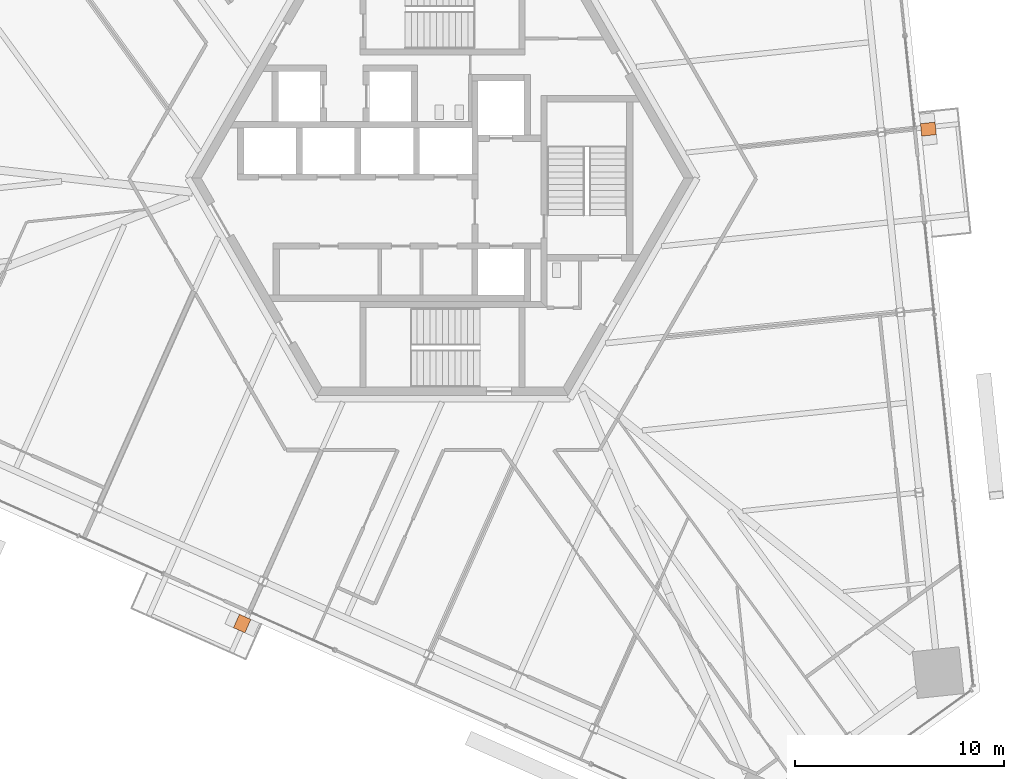
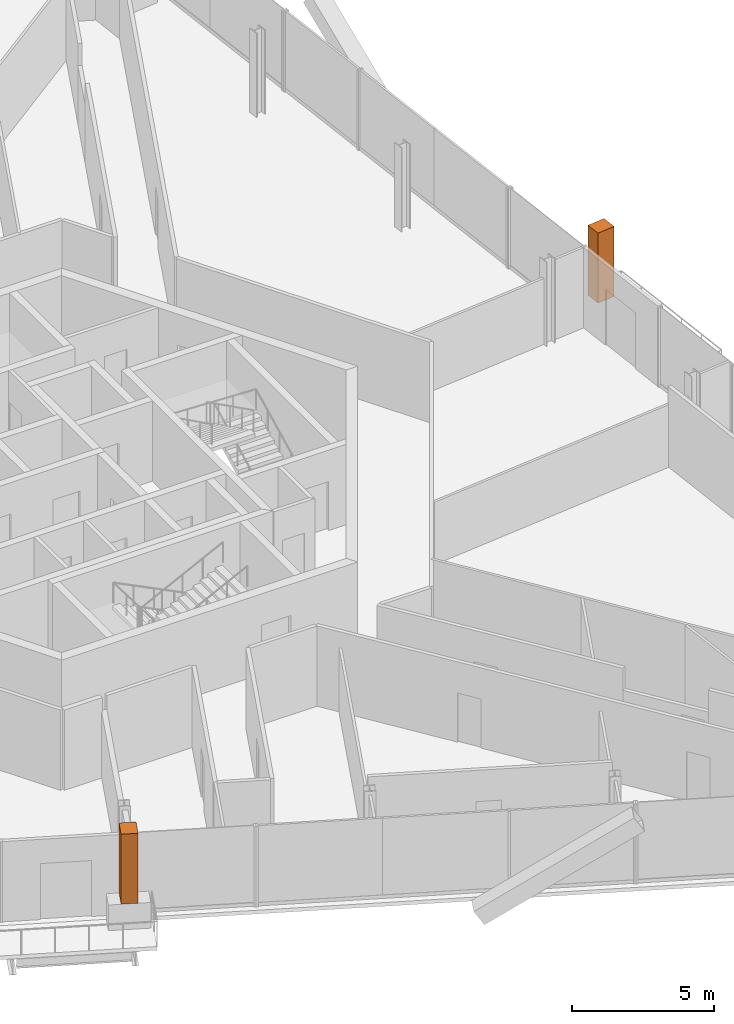
# One storey, part 18 of 18: 2 geographic elements.
"""IFC4 building model written with IfcOpenShell, lengths in metres."""

from ifc_helpers import new_model, si_unit, direction, frame, origin, origin_2d, place, context, subcontext, project, spatial, rectangle, extrude, source, transform, mapped, material, type_object, element, save


model = new_model("IFC4")

# Units and contexts
model_context = context("Model", 3, precision=1e-05, world=origin(), true_north=direction((0.0, 1.0)))
body_context = subcontext(model_context, "Body", "Model", "MODEL_VIEW")
ifc_project = project(units=[si_unit("LENGTHUNIT", "METRE"), si_unit("AREAUNIT", "SQUARE_METRE"), si_unit("VOLUMEUNIT", "CUBIC_METRE"), si_unit("PLANEANGLEUNIT", "RADIAN"), si_unit("MASSUNIT", "GRAM", prefix="KILO")], contexts=[model_context])

# Site, building, storey
site_placement = place(None, origin())
site = spatial("IfcSite", under=ifc_project, at=site_placement, CompositionType="ELEMENT")
building_placement = place(site_placement, origin())
building = spatial("IfcBuilding", under=site, at=building_placement, Name="Triune Harvest Tower", CompositionType="ELEMENT")
storey_placement = place(building_placement, frame((0.0, 0.0, 83.699951171875)))
storey = spatial("IfcBuildingStorey", under=building, at=storey_placement, Name="L20", CompositionType="ELEMENT", Elevation=83.699951171875)

# Geographic elements
ifc_material = material(Name="TREE-1 tree")
geographic_element_type = type_object("IfcGeographicElementType", Name="TREE-1 tree", PredefinedType="USERDEFINED", material=ifc_material)
shared_shape = source(origin(), body_context, "Body", "SweptSolid", [
    extrude(rectangle(XDim=0.60009765625, YDim=0.699951171875, at=origin_2d()), origin(), (0.0, 0.0, 1.0), 3.0),
])
for number, where, z_axis, x_axis, name in (
    (1, (23.2294921875, 2.34814453125, 1.10009765625), (0.0, 0.0, 1.0), (-0.104527536558, 0.994521992769, 0.0), "Tree B2-F1 L20.6b"),
    (2, (-9.5810546875, -21.29150390625, 1.10009765625), (0.0, 0.0, 1.0), (0.913545207137, -0.406737205721, 0.0), "Tree B2-F5 L20.6b"),
):
    element("IfcGeographicElement", number, at=place(storey_placement, frame(where, z_axis=z_axis, x_axis=x_axis)), inside=storey, type_object=geographic_element_type, Name=name, ObjectType="TREE", PredefinedType="USERDEFINED", context=body_context, shape_type="MappedRepresentation", body=[
        mapped(shared_shape, transform((0.0, 0.0, 0.0), scale=1.0)),
    ])

save(model, "model.ifc")
